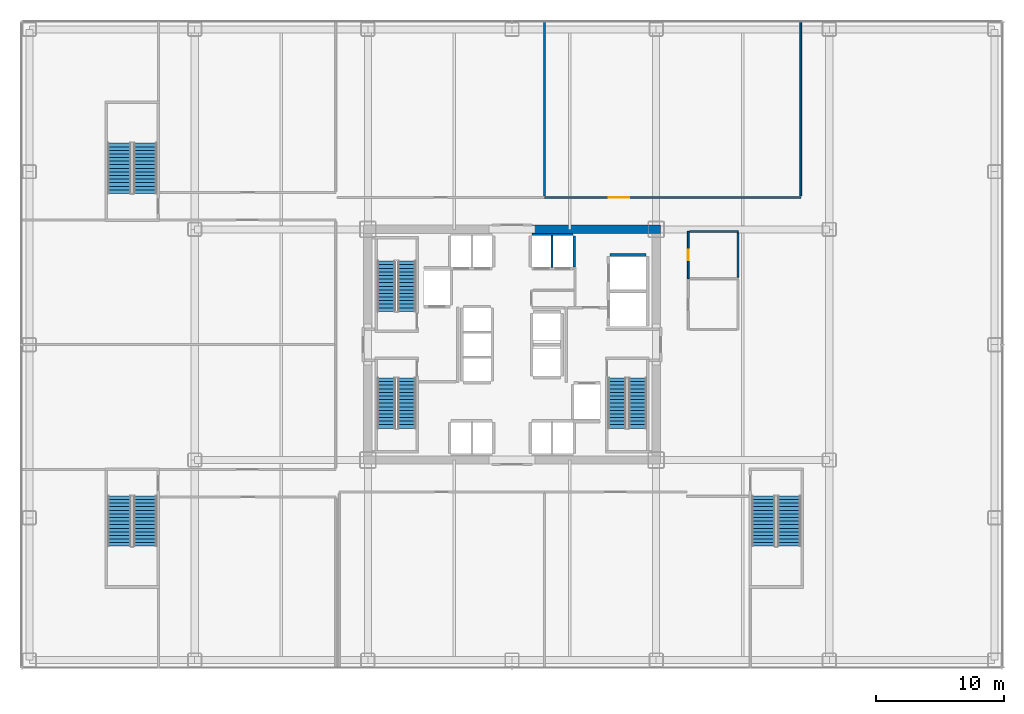
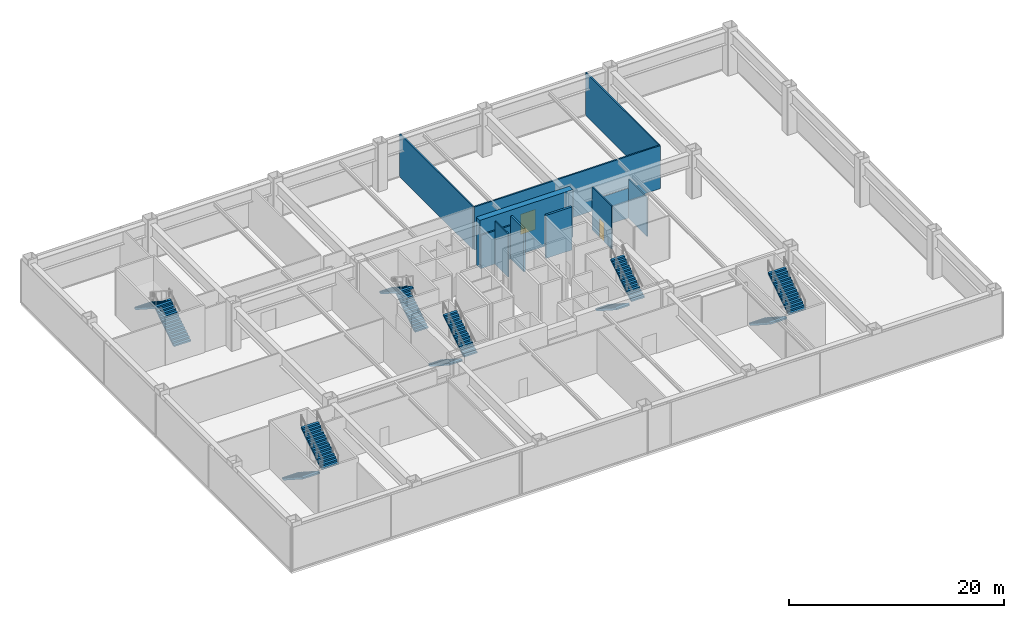
# One storey, part 20 of 24: 12 stair flights, 11 walls, 2 doors, 2 openings, 6 elements without a shape of their own.
"""IFC4 building model written with IfcOpenShell, lengths in metres."""

from ifc_helpers import new_model, si_unit, direction, frame, frame_2d, origin, place, context, subcontext, project, spatial, polyline, rectangle, outline, extrude, source, transform, mapped, material, layer, layer_set, type_object, element, fill, aggregate, save


model = new_model("IFC4")

# Units and contexts
model_context = context("Model", 3, precision=1e-05, world=origin(), true_north=direction((0.0, 1.0)))
body_context = subcontext(model_context, "Body", "Model", "MODEL_VIEW")
ifc_project = project(units=[si_unit("LENGTHUNIT", "METRE"), si_unit("AREAUNIT", "SQUARE_METRE"), si_unit("VOLUMEUNIT", "CUBIC_METRE"), si_unit("PLANEANGLEUNIT", "RADIAN"), si_unit("MASSUNIT", "GRAM", prefix="KILO")], contexts=[model_context])

# Site, building, storey
site_placement = place(None, origin())
site = spatial("IfcSite", under=ifc_project, at=site_placement, CompositionType="ELEMENT")
building_placement = place(site_placement, origin())
building = spatial("IfcBuilding", under=site, at=building_placement, Name="Nefas-Gora Pilgrimage Tower", CompositionType="ELEMENT")
storey_placement = place(building_placement, frame((0.0, 0.0, 22.199951171875)))
storey = spatial("IfcBuildingStorey", under=building, at=storey_placement, Name="L04", CompositionType="ELEMENT", Elevation=22.199951171875)

# Walls
ifc_material_1 = material(Name="Concrete C60/75", Category="concrete")
ifc_layer_1 = layer(ifc_material_1, 0.64990234375)
ifc_layer_set_1 = layer_set([ifc_layer_1], Name="Concrete C60/75")
wall_type_1 = type_object("IfcWallType", Name="SW-CORE-650", PredefinedType="SHEAR", material=ifc_layer_set_1)
shared_shape_1 = source(origin(), body_context, "Body", "SweptSolid", [
    extrude(rectangle(XDim=10.02490234375, YDim=0.64990234375, at=frame_2d((5.012451171875, 0.0))), origin(), (0.0, 0.0, 1.0), 5.400146484375),
])
wall_1_placement = place(storey_placement, frame((1.550048828125, 9.0, 0.0), z_axis=(0.0, 0.0, 1.0), x_axis=(1.0, 0.0, 0.0)))
element("IfcWall", 1, at=wall_1_placement, inside=storey, type_object=wall_type_1, Name="L04 Core Shear Wall N-East", PredefinedType="SHEAR", context=body_context, shape_type="MappedRepresentation", body=[
    mapped(shared_shape_1, transform((0.0, 0.0, 0.0), x_axis=(1.0, 0.0, 0.0), y_axis=(0.0, 1.0, 0.0), z_axis=(0.0, 0.0, 1.0), scale=1.0)),
])
ifc_material_2 = material(Name="Concrete C40/50", Category="concrete")
ifc_layer_2 = layer(ifc_material_2, 0.219970703125)
ifc_layer_set_2 = layer_set([ifc_layer_2], Name="Concrete C40/50")
wall_type_2 = type_object("IfcWallType", Name="IW-SHAFT-220", PredefinedType="SOLIDWALL", material=ifc_layer_set_2)
shared_shape_2 = source(origin(), body_context, "Body", "SweptSolid", [
    extrude(rectangle(XDim=2.780029296875, YDim=0.219970703125, at=frame_2d((1.39013671875, 0.0))), origin(), (0.0, 0.0, 1.0), 4.905029296875),
])
wall_2_placement = place(storey_placement, frame((10.43994140625, 7.010009765625, 0.0), z_axis=(0.0, 0.0, 1.0), x_axis=(-1.0, 0.0, 0.0)))
element("IfcWall", 2, at=wall_2_placement, inside=storey, type_object=wall_type_2, Name="L04 Hoistway Wall SL-02-N", PredefinedType="SOLIDWALL", context=body_context, shape_type="MappedRepresentation", body=[
    mapped(shared_shape_2, transform((0.0, 0.0, 0.0), x_axis=(1.0, 0.0, 0.0), y_axis=(0.0, 1.0, 0.0), z_axis=(0.0, 0.0, 1.0), scale=1.0)),
])
ifc_material_3 = material(Name="Gypsum acoustic stud partition")
ifc_layer_3 = layer(ifc_material_3, 0.159912109375)
ifc_layer_set_3 = layer_set([ifc_layer_3], Name="Gypsum acoustic stud partition")
wall_type_3 = type_object("IfcWallType", Name="IW-CORR-160", PredefinedType="PARTITIONING", material=ifc_layer_set_3)
shared_shape_3 = source(origin(), body_context, "Body", "SweptSolid", [
    extrude(rectangle(XDim=3.199951171875, YDim=0.159912109375, at=frame_2d((1.60009765625, 0.0))), origin(), (0.0, 0.0, 1.0), 3.795166015625),
])
wall_3_placement = place(storey_placement, frame((4.75, 8.580078125, 0.0), z_axis=(0.0, 0.0, 1.0), x_axis=(-1.0, 0.0, 0.0)))
element("IfcWall", 3, at=wall_3_placement, inside=storey, type_object=wall_type_3, Name="L04 Hoistway Wall PL1-E-N", PredefinedType="PARTITIONING", context=body_context, shape_type="MappedRepresentation", body=[
    mapped(shared_shape_3, transform((0.0, 0.0, 0.0), x_axis=(1.0, 0.0, 0.0), y_axis=(0.0, 1.0, 0.0), z_axis=(0.0, 0.0, 1.0), scale=1.0)),
])
shared_shape_4 = source(origin(), body_context, "Body", "SweptSolid", [
    extrude(rectangle(XDim=2.429931640625, YDim=0.219970703125, at=frame_2d((1.21484375, 0.0))), origin(), (0.0, 0.0, 1.0), 4.905029296875),
])
wall_4_placement = place(storey_placement, frame((4.860107421875, 6.06005859375, 0.0), z_axis=(0.0, 0.0, 1.0), x_axis=(0.0, 1.0, 0.0)))
element("IfcWall", 4, at=wall_4_placement, inside=storey, type_object=wall_type_2, Name="L04 Hoistway Wall PL1-E-E", PredefinedType="SOLIDWALL", context=body_context, shape_type="MappedRepresentation", body=[
    mapped(shared_shape_4, transform((0.0, 0.0, 0.0), x_axis=(1.0, 0.0, 0.0), y_axis=(0.0, 1.0, 0.0), z_axis=(0.0, 0.0, 1.0), scale=1.0)),
])
ifc_material_4 = material(Name="Gypsum twin-stud partition")
ifc_layer_4 = layer(ifc_material_4, 0.139892578125)
ifc_layer_set_4 = layer_set([ifc_layer_4], Name="Gypsum twin-stud partition")
wall_type_4 = type_object("IfcWallType", Name="IW-UNIT-140", PredefinedType="PARTITIONING", material=ifc_layer_set_4)
shared_shape_5 = source(origin(), body_context, "Body", "SweptSolid", [
    extrude(rectangle(XDim=2.429931640625, YDim=0.139892578125, at=frame_2d((1.21484375, 0.0))), origin(), (0.0, 0.0, 1.0), 4.905029296875),
])
wall_5_placement = place(storey_placement, frame((3.125, 6.06005859375, 0.0), z_axis=(0.0, 0.0, 1.0), x_axis=(0.0, 1.0, 0.0)))
element("IfcWall", 5, at=wall_5_placement, inside=storey, type_object=wall_type_4, Name="L04 Hoistway Wall PL1-E-DIV", PredefinedType="PARTITIONING", context=body_context, shape_type="MappedRepresentation", body=[
    mapped(shared_shape_5, transform((0.0, 0.0, 0.0), x_axis=(1.0, 0.0, 0.0), y_axis=(0.0, 1.0, 0.0), z_axis=(0.0, 0.0, 1.0), scale=1.0)),
])

# Wall, opening, door
ifc_material_5 = material(Name="Moisture-resistant fire-rated gypsum partition")
ifc_layer_5 = layer(ifc_material_5, 0.1201171875)
ifc_layer_set_5 = layer_set([ifc_layer_5], Name="Moisture-resistant fire-rated gypsum partition")
wall_type_5 = type_object("IfcWallType", Name="IW-WET-120", PredefinedType="PLUMBINGWALL", material=ifc_layer_set_5)
shared_shape_6 = source(origin(), body_context, "Body", "SweptSolid", [
    extrude(rectangle(XDim=3.68017578125, YDim=0.1201171875, at=frame_2d((1.840087890625, 0.0))), origin(), (0.0, 0.0, 1.0), 4.905029296875),
])
wall_6_placement = place(storey_placement, frame((13.75, 5.159912109375, 0.0), z_axis=(0.0, 0.0, 1.0), x_axis=(0.0, 1.0, 0.0)))
wall_6 = element("IfcWall", 6, at=wall_6_placement, inside=storey, type_object=wall_type_5, Name="L04 L04 Podium Accessible WC Partition Wall 19", PredefinedType="PLUMBINGWALL", context=body_context, shape_type="MappedRepresentation", body=[
    mapped(shared_shape_6, transform((0.0, 0.0, 0.0), x_axis=(1.0, 0.0, 0.0), y_axis=(0.0, 1.0, 0.0), z_axis=(0.0, 0.0, 1.0), scale=1.0)),
])
opening_1_placement = place(wall_6_placement, frame((1.4150390625, 0.0, 0.0)))
opening_1 = element("IfcOpeningElement", 7, at=opening_1_placement, cuts=wall_6, Name="Opening ID-BT1", PredefinedType="OPENING", context=body_context, shape_type="SweptSolid", body=[
    extrude(rectangle(XDim=0.85009765625, YDim=2.10009765625, at=frame_2d((0.425048828125, 1.050048828125))), frame((0.0, 0.070068359375, 0.0), z_axis=(0.0, -1.0, 0.0), x_axis=(1.0, 0.0, 0.0)), (0.0, 0.0, 1.0), 0.14013671875),
])
ifc_material_6 = material(Name="Moisture-resistant fire-rated timber door", Category="wood")
door_type_1 = type_object("IfcDoorType", Name="DR-INT-BATH-850", OperationType="NOTDEFINED", PredefinedType="DOOR", material=ifc_material_6)
shared_shape_7 = source(origin(), body_context, "Body", "SweptSolid", [
    extrude(rectangle(XDim=0.85009765625, YDim=2.10009765625, at=frame_2d((0.425048828125, 1.050048828125))), frame((0.0, 0.02490234375, 0.0), z_axis=(0.0, -1.0, 0.0), x_axis=(1.0, 0.0, 0.0)), (0.0, 0.0, 1.0), 0.050048828125),
])
door_1_placement = place(opening_1_placement, origin())
door_1 = element("IfcDoor", 8, at=door_1_placement, inside=storey, type_object=door_type_1, Name="L04 L04 Podium Accessible WC Door 7", OperationType="SINGLE_SWING_LEFT", OverallHeight=2.10009765625, OverallWidth=0.85009765625, PredefinedType="DOOR", context=body_context, shape_type="MappedRepresentation", body=[
    mapped(shared_shape_7, transform((0.0, 0.0, 0.0), x_axis=(1.0, 0.0, 0.0), y_axis=(0.0, 1.0, 0.0), z_axis=(0.0, 0.0, 1.0), scale=1.0)),
])
fill(opening_1, door_1)

# Walls
shared_shape_8 = source(origin(), body_context, "Body", "SweptSolid", [
    extrude(rectangle(XDim=3.789794921875, YDim=0.1201171875, at=frame_2d((1.89501953125, 0.0))), origin(), (0.0, 0.0, 1.0), 3.39501953125),
])
wall_7_placement = place(storey_placement, frame((13.85009765625, 8.830078125, 0.0), z_axis=(0.0, 0.0, 1.0), x_axis=(1.0, 0.0, 0.0)))
element("IfcWall", 9, at=wall_7_placement, inside=storey, type_object=wall_type_5, Name="L04 L04 Podium Accessible WC Partition Wall 21", PredefinedType="PLUMBINGWALL", context=body_context, shape_type="MappedRepresentation", body=[
    mapped(shared_shape_8, transform((0.0, 0.0, 0.0), x_axis=(1.0, 0.0, 0.0), y_axis=(0.0, 1.0, 0.0), z_axis=(0.0, 0.0, 1.0), scale=1.0)),
])
shared_shape_9 = source(origin(), body_context, "Body", "SweptSolid", [
    extrude(rectangle(XDim=3.4599609375, YDim=0.1201171875, at=frame_2d((1.72998046875, 0.0))), origin(), (0.0, 0.0, 1.0), 4.445068359375),
])
wall_8_placement = place(storey_placement, frame((17.6298828125, 5.27001953125, 0.0), z_axis=(0.0, 0.0, 1.0), x_axis=(0.0, 1.0, 0.0)))
element("IfcWall", 10, at=wall_8_placement, inside=storey, type_object=wall_type_5, Name="L04 L04 Podium Accessible WC Partition Wall 22", PredefinedType="PLUMBINGWALL", context=body_context, shape_type="MappedRepresentation", body=[
    mapped(shared_shape_9, transform((0.0, 0.0, 0.0), x_axis=(1.0, 0.0, 0.0), y_axis=(0.0, 1.0, 0.0), z_axis=(0.0, 0.0, 1.0), scale=1.0)),
])
shared_shape_10 = source(origin(), body_context, "Body", "SweptSolid", [
    extrude(rectangle(XDim=13.60986328125, YDim=0.139892578125, at=frame_2d((6.804931640625, 0.0))), origin(), (0.0, 0.0, 1.0), 4.905029296875),
])
for number, where, z_axis, x_axis, name in (
    (11, (2.530029296875, 11.610107421875, 0.0), (0.0, 0.0, 1.0), (0.0, 1.0, 0.0), "L04 Highland Bakery and Pastry Servery Partition Wall 37"),
    (12, (22.530029296875, 11.610107421875, 0.0), (0.0, 0.0, 1.0), (0.0, 1.0, 0.0), "L04 Highland Fellowship Seminar Hall Partition Wall 39"),
):
    element("IfcWall", number, at=place(storey_placement, frame(where, z_axis=z_axis, x_axis=x_axis)), inside=storey, type_object=wall_type_4, Name=name, PredefinedType="PARTITIONING", context=body_context, shape_type="MappedRepresentation", body=[
        mapped(shared_shape_10, transform((0.0, 0.0, 0.0), x_axis=(1.0, 0.0, 0.0), y_axis=(0.0, 1.0, 0.0), z_axis=(0.0, 0.0, 1.0), scale=1.0)),
    ])

# Wall, opening, door
shared_shape_11 = source(origin(), body_context, "Body", "SweptSolid", [
    extrude(rectangle(XDim=20.0, YDim=0.159912109375, at=frame_2d((10.0, 0.0))), origin(), (0.0, 0.0, 1.0), 4.905029296875),
])
wall_9_placement = place(storey_placement, frame((2.5400390625, 11.489990234375, 0.0), z_axis=(0.0, 0.0, 1.0), x_axis=(1.0, 0.0, 0.0)))
wall_9 = element("IfcWall", 13, at=wall_9_placement, inside=storey, type_object=wall_type_3, Name="L04 Highland Fellowship Seminar Hall Partition Wall 38", PredefinedType="PARTITIONING", context=body_context, shape_type="MappedRepresentation", body=[
    mapped(shared_shape_11, transform((0.0, 0.0, 0.0), x_axis=(1.0, 0.0, 0.0), y_axis=(0.0, 1.0, 0.0), z_axis=(0.0, 0.0, 1.0), scale=1.0)),
])
opening_2_placement = place(wall_9_placement, frame((5.0087890625, 0.0, 0.0)))
opening_2 = element("IfcOpeningElement", 14, at=opening_2_placement, cuts=wall_9, Name="Opening ID-HL1", PredefinedType="OPENING", context=body_context, shape_type="SweptSolid", body=[
    extrude(rectangle(XDim=1.60009765625, YDim=2.300048828125, at=frame_2d((0.800048828125, 1.14990234375))), frame((0.0, 0.08984375, 0.0), z_axis=(0.0, -1.0, 0.0), x_axis=(1.0, 0.0, 0.0)), (0.0, 0.0, 1.0), 0.179931640625),
])
ifc_material_7 = material(Name="Double acoustic timber assembly hall door", Category="wood")
door_type_2 = type_object("IfcDoorType", Name="DR-INT-HALL-1600", OperationType="DOUBLE_DOOR_SINGLE_SWING", PredefinedType="DOOR", material=ifc_material_7)
shared_shape_12 = source(origin(), body_context, "Body", "SweptSolid", [
    extrude(rectangle(XDim=1.60009765625, YDim=2.300048828125, at=frame_2d((0.800048828125, 1.14990234375))), frame((0.0, 0.02490234375, 0.0), z_axis=(0.0, -1.0, 0.0), x_axis=(1.0, 0.0, 0.0)), (0.0, 0.0, 1.0), 0.050048828125),
])
door_2_placement = place(opening_2_placement, origin())
door_2 = element("IfcDoor", 15, at=door_2_placement, inside=storey, type_object=door_type_2, Name="L04 Highland Fellowship Seminar Hall Door 13", OperationType="DOUBLE_DOOR_SINGLE_SWING", OverallHeight=2.300048828125, OverallWidth=1.60009765625, PredefinedType="DOOR", context=body_context, shape_type="MappedRepresentation", body=[
    mapped(shared_shape_12, transform((0.0, 0.0, 0.0), x_axis=(1.0, 0.0, 0.0), y_axis=(0.0, 1.0, 0.0), z_axis=(0.0, 0.0, 1.0), scale=1.0)),
])
fill(opening_2, door_2)

# Stair, stair flights
ifc_material_8 = material(Name="Concrete C45/55", Category="concrete")
stair_type_1 = type_object("IfcStairType", Name="STR-1400-R1800", PredefinedType="HALF_TURN_STAIR", material=ifc_material_8)
stair_1_placement = place(storey_placement, origin())
stair_1 = element("IfcStair", 16, at=stair_1_placement, inside=storey, type_object=stair_type_1, Name="L04 Pressurised Tower Exit Stair ST-01", PredefinedType="HALF_TURN_STAIR")
stair_flight_type_1 = type_object("IfcStairFlightType", Name="STF-1400-R1800", PredefinedType="STRAIGHT", material=ifc_material_8)
shared_shape_13 = source(origin(), body_context, "Body", "SweptSolid", [
    extrude(outline(polyline([(0.0, 0.0), (0.0, 0.179931640625), (0.280029296875, 0.179931640625), (0.280029296875, 0.360107421875), (0.56005859375, 0.360107421875), (0.56005859375, 0.5400390625), (0.840087890625, 0.5400390625), (0.840087890625, 0.719970703125), (1.1201171875, 0.719970703125), (1.1201171875, 0.89990234375), (1.39990234375, 0.89990234375), (1.39990234375, 1.080078125), (1.679931640625, 1.080078125), (1.679931640625, 1.260009765625), (1.9599609375, 1.260009765625), (1.9599609375, 1.43994140625), (2.239990234375, 1.43994140625), (2.239990234375, 1.6201171875), (2.52001953125, 1.6201171875), (2.52001953125, 1.800048828125), (2.800048828125, 1.800048828125), (2.800048828125, 1.97998046875), (3.080078125, 1.97998046875), (3.080078125, 2.159912109375), (3.360107421875, 2.159912109375), (3.360107421875, 2.340087890625), (3.639892578125, 2.340087890625), (3.639892578125, 2.52001953125), (3.919921875, 2.52001953125), (3.919921875, 2.699951171875), (3.919921875, 2.341796875), (0.277099609375, 0.0), (0.0, 0.0)])), frame((0.0, 0.699951171875, 0.0), z_axis=(0.0, -1.0, 0.0), x_axis=(1.0, 0.0, 0.0)), (0.0, 0.0, 1.0), 1.39990234375),
])
stair_flight_1_placement = place(storey_placement, frame((-8.199951171875, 2.60009765625, 0.0), z_axis=(0.0, 0.0, 1.0), x_axis=(0.0, 1.0, 0.0)))
stair_flight_1 = element("IfcStairFlight", 17, at=stair_flight_1_placement, type_object=stair_flight_type_1, Name="ST-01 flight 1", NumberOfRisers=15, NumberOfTreads=14, PredefinedType="STRAIGHT", RiserHeight=0.18, TreadLength=0.28, context=body_context, shape_type="MappedRepresentation", body=[
    mapped(shared_shape_13, transform((0.0, 0.0, 0.0), x_axis=(1.0, 0.0, 0.0), y_axis=(0.0, 1.0, 0.0), z_axis=(0.0, 0.0, 1.0), scale=1.0)),
])
stair_flight_2_placement = place(storey_placement, frame((-9.800048828125, 6.52001953125, 2.699951171875), z_axis=(0.0, 0.0, 1.0), x_axis=(0.0, -1.0, 0.0)))
stair_flight_2 = element("IfcStairFlight", 18, at=stair_flight_2_placement, type_object=stair_flight_type_1, Name="ST-01 flight 2", NumberOfRisers=15, NumberOfTreads=14, PredefinedType="STRAIGHT", RiserHeight=0.18, TreadLength=0.28, context=body_context, shape_type="MappedRepresentation", body=[
    mapped(shared_shape_13, transform((0.0, 0.0, 0.0), x_axis=(1.0, 0.0, 0.0), y_axis=(0.0, 1.0, 0.0), z_axis=(0.0, 0.0, 1.0), scale=1.0)),
])
aggregate(stair_1, [stair_flight_1, stair_flight_2])

stair_2_placement = place(storey_placement, origin())
stair_2 = element("IfcStair", 19, at=stair_2_placement, inside=storey, type_object=stair_type_1, Name="L04 Pressurised Tower Exit Stair ST-02", PredefinedType="HALF_TURN_STAIR")
stair_flight_3_placement = place(storey_placement, frame((8.199951171875, -2.60009765625, 0.0), z_axis=(0.0, 0.0, 1.0), x_axis=(0.0, -1.0, 0.0)))
stair_flight_3 = element("IfcStairFlight", 20, at=stair_flight_3_placement, type_object=stair_flight_type_1, Name="ST-02 flight 1", NumberOfRisers=15, NumberOfTreads=14, PredefinedType="STRAIGHT", RiserHeight=0.18, TreadLength=0.28, context=body_context, shape_type="MappedRepresentation", body=[
    mapped(shared_shape_13, transform((0.0, 0.0, 0.0), x_axis=(1.0, 0.0, 0.0), y_axis=(0.0, 1.0, 0.0), z_axis=(0.0, 0.0, 1.0), scale=1.0)),
])
stair_flight_4_placement = place(storey_placement, frame((9.800048828125, -6.52001953125, 2.699951171875), z_axis=(0.0, 0.0, 1.0), x_axis=(0.0, 1.0, 0.0)))
stair_flight_4 = element("IfcStairFlight", 21, at=stair_flight_4_placement, type_object=stair_flight_type_1, Name="ST-02 flight 2", NumberOfRisers=15, NumberOfTreads=14, PredefinedType="STRAIGHT", RiserHeight=0.18, TreadLength=0.28, context=body_context, shape_type="MappedRepresentation", body=[
    mapped(shared_shape_13, transform((0.0, 0.0, 0.0), x_axis=(1.0, 0.0, 0.0), y_axis=(0.0, 1.0, 0.0), z_axis=(0.0, 0.0, 1.0), scale=1.0)),
])
aggregate(stair_2, [stair_flight_3, stair_flight_4])

stair_3_placement = place(storey_placement, origin())
stair_3 = element("IfcStair", 22, at=stair_3_placement, inside=storey, type_object=stair_type_1, Name="L04 Pressurised Tower Exit Stair ST-03", PredefinedType="HALF_TURN_STAIR")
stair_flight_5_placement = place(storey_placement, frame((-9.800048828125, -2.60009765625, 0.0), z_axis=(0.0, 0.0, 1.0), x_axis=(0.0, -1.0, 0.0)))
stair_flight_5 = element("IfcStairFlight", 23, at=stair_flight_5_placement, type_object=stair_flight_type_1, Name="ST-03 flight 1", NumberOfRisers=15, NumberOfTreads=14, PredefinedType="STRAIGHT", RiserHeight=0.18, TreadLength=0.28, context=body_context, shape_type="MappedRepresentation", body=[
    mapped(shared_shape_13, transform((0.0, 0.0, 0.0), x_axis=(1.0, 0.0, 0.0), y_axis=(0.0, 1.0, 0.0), z_axis=(0.0, 0.0, 1.0), scale=1.0)),
])
stair_flight_6_placement = place(storey_placement, frame((-8.199951171875, -6.52001953125, 2.699951171875), z_axis=(0.0, 0.0, 1.0), x_axis=(0.0, 1.0, 0.0)))
stair_flight_6 = element("IfcStairFlight", 24, at=stair_flight_6_placement, type_object=stair_flight_type_1, Name="ST-03 flight 2", NumberOfRisers=15, NumberOfTreads=14, PredefinedType="STRAIGHT", RiserHeight=0.18, TreadLength=0.28, context=body_context, shape_type="MappedRepresentation", body=[
    mapped(shared_shape_13, transform((0.0, 0.0, 0.0), x_axis=(1.0, 0.0, 0.0), y_axis=(0.0, 1.0, 0.0), z_axis=(0.0, 0.0, 1.0), scale=1.0)),
])
aggregate(stair_3, [stair_flight_5, stair_flight_6])

stair_type_2 = type_object("IfcStairType", Name="STR-1820-R1800", PredefinedType="HALF_TURN_STAIR", material=ifc_material_8)
stair_4_placement = place(storey_placement, origin())
stair_4 = element("IfcStair", 25, at=stair_4_placement, inside=storey, type_object=stair_type_2, Name="L04 Podium Exit Stair ST-04", PredefinedType="HALF_TURN_STAIR")
stair_flight_type_2 = type_object("IfcStairFlightType", Name="STF-1820-R1800", PredefinedType="STRAIGHT", material=ifc_material_8)
shared_shape_14 = source(origin(), body_context, "Body", "SweptSolid", [
    extrude(outline(polyline([(0.0, 0.0), (0.0, 0.179931640625), (0.280029296875, 0.179931640625), (0.280029296875, 0.360107421875), (0.56005859375, 0.360107421875), (0.56005859375, 0.5400390625), (0.840087890625, 0.5400390625), (0.840087890625, 0.719970703125), (1.1201171875, 0.719970703125), (1.1201171875, 0.89990234375), (1.39990234375, 0.89990234375), (1.39990234375, 1.080078125), (1.679931640625, 1.080078125), (1.679931640625, 1.260009765625), (1.9599609375, 1.260009765625), (1.9599609375, 1.43994140625), (2.239990234375, 1.43994140625), (2.239990234375, 1.6201171875), (2.52001953125, 1.6201171875), (2.52001953125, 1.800048828125), (2.800048828125, 1.800048828125), (2.800048828125, 1.97998046875), (3.080078125, 1.97998046875), (3.080078125, 2.159912109375), (3.360107421875, 2.159912109375), (3.360107421875, 2.340087890625), (3.639892578125, 2.340087890625), (3.639892578125, 2.52001953125), (3.919921875, 2.52001953125), (3.919921875, 2.699951171875), (3.919921875, 2.341796875), (0.277099609375, 0.0), (0.0, 0.0)])), frame((0.0, 0.91015625, 0.0), z_axis=(0.0, -1.0, 0.0), x_axis=(1.0, 0.0, 0.0)), (0.0, 0.0, 1.0), 1.820068359375),
])
stair_flight_7_placement = place(storey_placement, frame((-28.610107421875, 11.800048828125, 0.0), z_axis=(0.0, 0.0, 1.0), x_axis=(0.0, 1.0, 0.0)))
stair_flight_7 = element("IfcStairFlight", 26, at=stair_flight_7_placement, type_object=stair_flight_type_2, Name="ST-04 flight 1", NumberOfRisers=15, NumberOfTreads=14, PredefinedType="STRAIGHT", RiserHeight=0.18, TreadLength=0.28, context=body_context, shape_type="MappedRepresentation", body=[
    mapped(shared_shape_14, transform((0.0, 0.0, 0.0), x_axis=(1.0, 0.0, 0.0), y_axis=(0.0, 1.0, 0.0), z_axis=(0.0, 0.0, 1.0), scale=1.0)),
])
stair_flight_8_placement = place(storey_placement, frame((-30.6298828125, 15.719970703125, 2.699951171875), z_axis=(0.0, 0.0, 1.0), x_axis=(0.0, -1.0, 0.0)))
stair_flight_8 = element("IfcStairFlight", 27, at=stair_flight_8_placement, type_object=stair_flight_type_2, Name="ST-04 flight 2", NumberOfRisers=15, NumberOfTreads=14, PredefinedType="STRAIGHT", RiserHeight=0.18, TreadLength=0.28, context=body_context, shape_type="MappedRepresentation", body=[
    mapped(shared_shape_14, transform((0.0, 0.0, 0.0), x_axis=(1.0, 0.0, 0.0), y_axis=(0.0, 1.0, 0.0), z_axis=(0.0, 0.0, 1.0), scale=1.0)),
])
aggregate(stair_4, [stair_flight_7, stair_flight_8])

stair_5_placement = place(storey_placement, origin())
stair_5 = element("IfcStair", 28, at=stair_5_placement, inside=storey, type_object=stair_type_2, Name="L04 Podium Exit Stair ST-05", PredefinedType="HALF_TURN_STAIR")
stair_flight_9_placement = place(storey_placement, frame((-30.6298828125, -11.800048828125, 0.0), z_axis=(0.0, 0.0, 1.0), x_axis=(0.0, -1.0, 0.0)))
stair_flight_9 = element("IfcStairFlight", 29, at=stair_flight_9_placement, type_object=stair_flight_type_2, Name="ST-05 flight 1", NumberOfRisers=15, NumberOfTreads=14, PredefinedType="STRAIGHT", RiserHeight=0.18, TreadLength=0.28, context=body_context, shape_type="MappedRepresentation", body=[
    mapped(shared_shape_14, transform((0.0, 0.0, 0.0), x_axis=(1.0, 0.0, 0.0), y_axis=(0.0, 1.0, 0.0), z_axis=(0.0, 0.0, 1.0), scale=1.0)),
])
stair_flight_10_placement = place(storey_placement, frame((-28.610107421875, -15.719970703125, 2.699951171875), z_axis=(0.0, 0.0, 1.0), x_axis=(0.0, 1.0, 0.0)))
stair_flight_10 = element("IfcStairFlight", 30, at=stair_flight_10_placement, type_object=stair_flight_type_2, Name="ST-05 flight 2", NumberOfRisers=15, NumberOfTreads=14, PredefinedType="STRAIGHT", RiserHeight=0.18, TreadLength=0.28, context=body_context, shape_type="MappedRepresentation", body=[
    mapped(shared_shape_14, transform((0.0, 0.0, 0.0), x_axis=(1.0, 0.0, 0.0), y_axis=(0.0, 1.0, 0.0), z_axis=(0.0, 0.0, 1.0), scale=1.0)),
])
aggregate(stair_5, [stair_flight_9, stair_flight_10])

stair_6_placement = place(storey_placement, origin())
stair_6 = element("IfcStair", 31, at=stair_6_placement, inside=storey, type_object=stair_type_2, Name="L04 Podium Exit Stair ST-06", PredefinedType="HALF_TURN_STAIR")
stair_flight_11_placement = place(storey_placement, frame((19.610107421875, -11.800048828125, 0.0), z_axis=(0.0, 0.0, 1.0), x_axis=(0.0, -1.0, 0.0)))
stair_flight_11 = element("IfcStairFlight", 32, at=stair_flight_11_placement, type_object=stair_flight_type_2, Name="ST-06 flight 1", NumberOfRisers=15, NumberOfTreads=14, PredefinedType="STRAIGHT", RiserHeight=0.18, TreadLength=0.28, context=body_context, shape_type="MappedRepresentation", body=[
    mapped(shared_shape_14, transform((0.0, 0.0, 0.0), x_axis=(1.0, 0.0, 0.0), y_axis=(0.0, 1.0, 0.0), z_axis=(0.0, 0.0, 1.0), scale=1.0)),
])
stair_flight_12_placement = place(storey_placement, frame((21.6298828125, -15.719970703125, 2.699951171875), z_axis=(0.0, 0.0, 1.0), x_axis=(0.0, 1.0, 0.0)))
stair_flight_12 = element("IfcStairFlight", 33, at=stair_flight_12_placement, type_object=stair_flight_type_2, Name="ST-06 flight 2", NumberOfRisers=15, NumberOfTreads=14, PredefinedType="STRAIGHT", RiserHeight=0.18, TreadLength=0.28, context=body_context, shape_type="MappedRepresentation", body=[
    mapped(shared_shape_14, transform((0.0, 0.0, 0.0), x_axis=(1.0, 0.0, 0.0), y_axis=(0.0, 1.0, 0.0), z_axis=(0.0, 0.0, 1.0), scale=1.0)),
])
aggregate(stair_6, [stair_flight_11, stair_flight_12])

save(model, "model.ifc")
